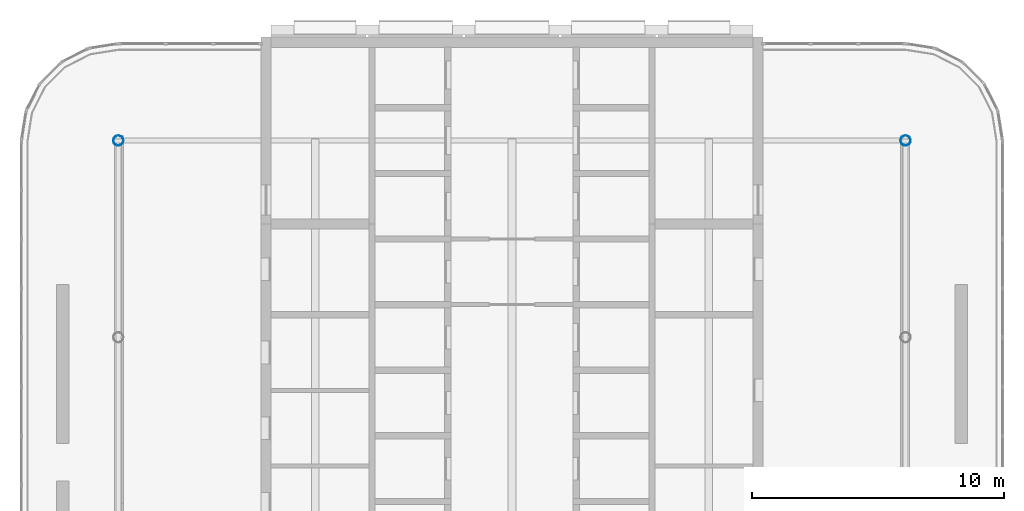
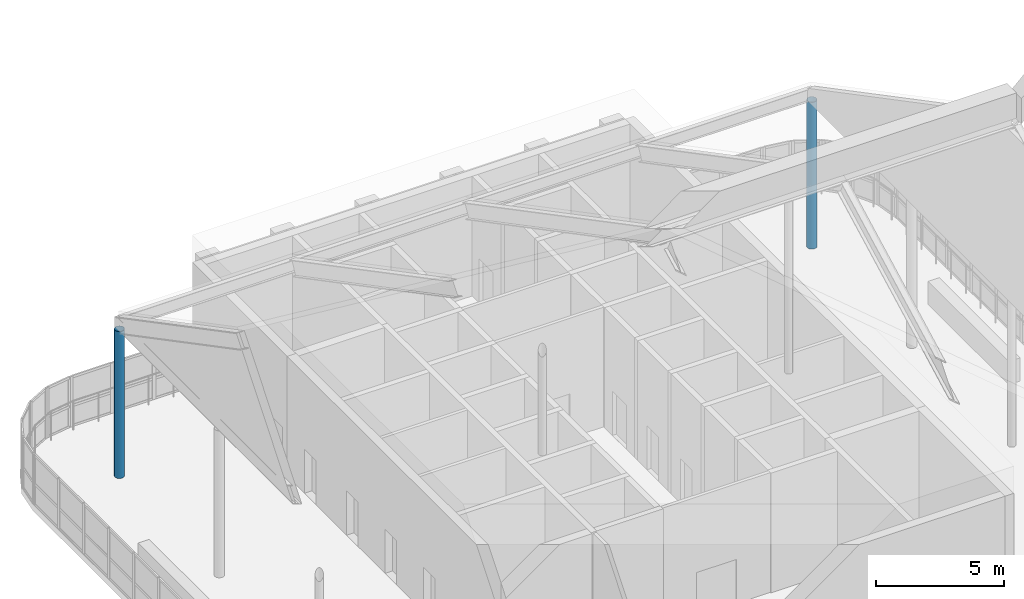
# One storey, part 3 of 19: 2 columns.
"""IFC4 building model written with IfcOpenShell, lengths in metres."""

from ifc_helpers import new_model, si_unit, direction, frame, origin, origin_2d, place, context, subcontext, project, spatial, hollow_circle, extrude, material, material_profile, profile_set, type_object, element, save


model = new_model("IFC4")

# Units and contexts
model_context = context("Model", 3, precision=1e-05, world=origin(), true_north=direction((0.0, 1.0)))
body_context = subcontext(model_context, "Body", "Model", "MODEL_VIEW")
ifc_project = project(units=[si_unit("LENGTHUNIT", "METRE"), si_unit("AREAUNIT", "SQUARE_METRE"), si_unit("VOLUMEUNIT", "CUBIC_METRE"), si_unit("PLANEANGLEUNIT", "RADIAN"), si_unit("MASSUNIT", "GRAM", prefix="KILO")], contexts=[model_context])

# Site, building, storey
site_placement = place(None, origin())
site = spatial("IfcSite", under=ifc_project, at=site_placement, CompositionType="ELEMENT")
building_placement = place(site_placement, origin())
building = spatial("IfcBuilding", under=site, at=building_placement, Name="Ludao Terraces", CompositionType="ELEMENT")
storey_placement = place(building_placement, frame((0.0, 0.0, 266.39990234375)))
storey = spatial("IfcBuildingStorey", under=building, at=storey_placement, Name="L73", CompositionType="ELEMENT", Elevation=266.39990234375)

# Columns
ifc_material = material(Name="Steel Q355", Category="steel")
ifc_material_profile = material_profile(ifc_material, hollow_circle(Radius=0.202880859375, WallThickness=0.012451171875, at=origin_2d()), Name="CHS 406X12.5")
ifc_profile_set = profile_set([ifc_material_profile], Name="Steel Q355")
column_type = type_object("IfcColumnType", Name="Canopy column CHS 406x12.5 Q355", PredefinedType="COLUMN", material=ifc_profile_set)
for number, where, z_axis, x_axis, name in (
    (1, (69.39990234375, 80.60009765625, 0.0), (0.0, 0.0, 1.0), (1.0, 0.0, 0.0), "Canopy column NW"),
    (2, (100.60009765625, 80.60009765625, 0.0), (0.0, 0.0, 1.0), (1.0, 0.0, 0.0), "Canopy column NE"),
):
    element("IfcColumn", number, at=place(storey_placement, frame(where, z_axis=z_axis, x_axis=x_axis)), inside=storey, type_object=column_type, Name=name, PredefinedType="COLUMN", context=body_context, shape_type="SweptSolid", body=[
        extrude(hollow_circle(Radius=0.202880859375, WallThickness=0.012451171875, at=origin_2d()), origin(), (0.0, 0.0, 1.0), 6.99560546875),
    ])

save(model, "model.ifc")
